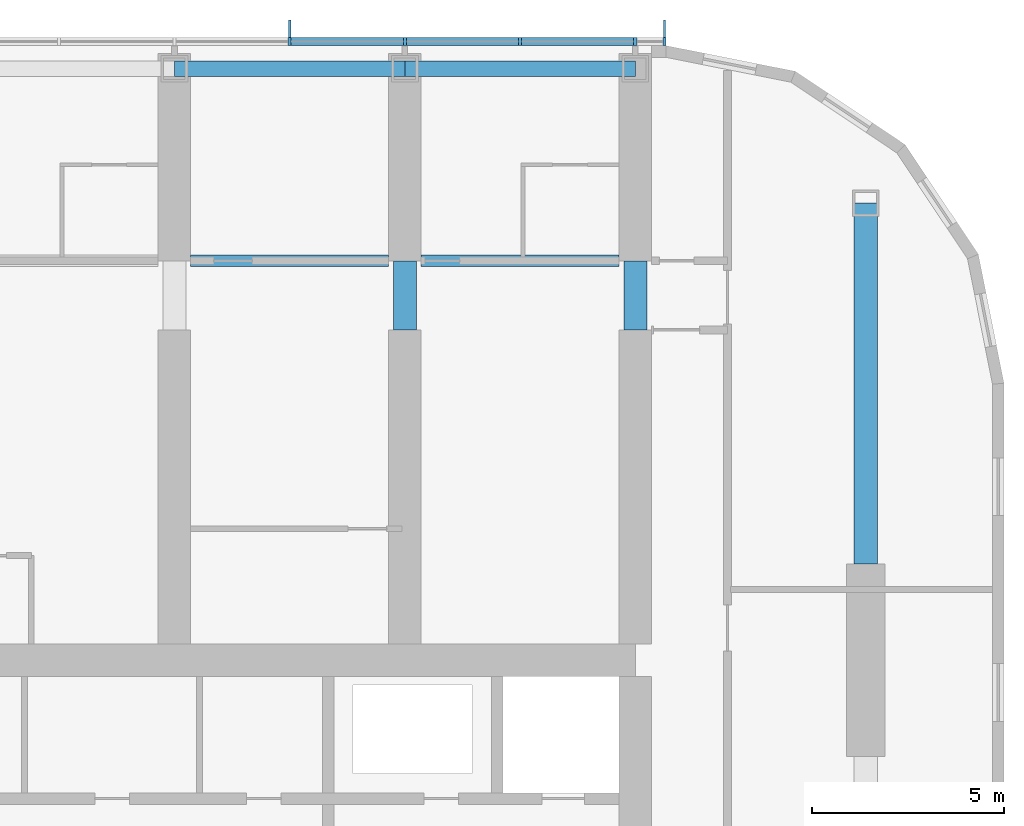
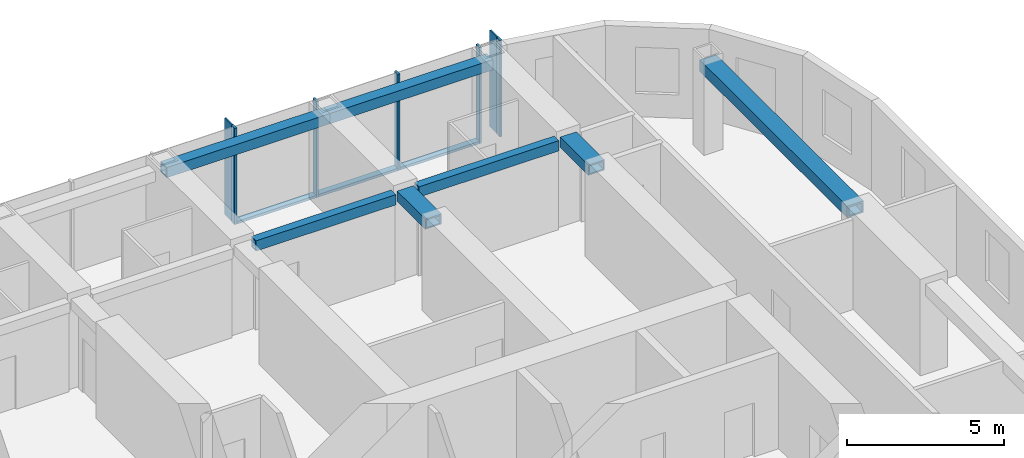
# One storey, part 5 of 22: 10 members, 7 beams, 1 element without a shape of its own.
"""IFC4 building model written with IfcOpenShell, lengths in metres."""

from ifc_helpers import new_model, si_unit, direction, frame, origin, origin_2d, place, context, subcontext, project, spatial, rectangle, hollow_rectangle, extrude, material, material_profile, profile_set, type_object, element, aggregate, save


model = new_model("IFC4")

# Units and contexts
model_context = context("Model", 3, precision=1e-05, world=origin(), true_north=direction((0.0, 1.0)))
body_context = subcontext(model_context, "Body", "Model", "MODEL_VIEW")
ifc_project = project(units=[si_unit("LENGTHUNIT", "METRE"), si_unit("AREAUNIT", "SQUARE_METRE"), si_unit("VOLUMEUNIT", "CUBIC_METRE"), si_unit("PLANEANGLEUNIT", "RADIAN"), si_unit("MASSUNIT", "GRAM", prefix="KILO")], contexts=[model_context])

# Site, building, storey
site_placement = place(None, origin())
site = spatial("IfcSite", under=ifc_project, at=site_placement, CompositionType="ELEMENT")
building_placement = place(site_placement, origin())
building = spatial("IfcBuilding", under=site, at=building_placement, Name="Orbita Commons", CompositionType="ELEMENT")
storey_placement = place(building_placement, frame((0.0, 0.0, 152.35009765625)))
storey = spatial("IfcBuildingStorey", under=building, at=storey_placement, Name="L37", CompositionType="ELEMENT", Elevation=152.35009765625)

# Curtain wall, members
ifc_material_1 = material(Name="Anodised aluminium frame, pale silver", Category="aluminium")
curtain_wall_type = type_object("IfcCurtainWallType", Name="Unitised curtain wall CW-U, full-height vision", PredefinedType="NOTDEFINED", material=ifc_material_1)
curtain_wall_placement = place(storey_placement, origin())
curtain_wall = element("IfcCurtainWall", 1, at=curtain_wall_placement, inside=storey, type_object=curtain_wall_type, Name="Curtain wall north L37", PredefinedType="NOTDEFINED")
ifc_material_2 = material(Name="Anodised aluminium, pale silver", Category="aluminium")
ifc_material_profile_1 = material_profile(ifc_material_2, rectangle(XDim=0.080078125, YDim=0.219970703125, at=origin_2d()), Name="AL 80x220")
ifc_profile_set_1 = profile_set([ifc_material_profile_1], Name="Anodised aluminium, pale silver")
member_type_1 = type_object("IfcMemberType", Name="Curtain wall mullion 80x220", PredefinedType="MULLION", material=ifc_profile_set_1)
member_1_placement = place(storey_placement, frame((66.760009765625, 54.31005859375, -0.25), z_axis=(0.0, 0.0, 1.0), x_axis=(-1.0, 0.0, 0.0)))
member_1 = element("IfcMember", 2, at=member_1_placement, type_object=member_type_1, Name="Mullion 1 CW-L37-N", PredefinedType="MULLION", context=body_context, shape_type="SweptSolid", body=[
    extrude(rectangle(XDim=0.080078125, YDim=0.219970703125, at=origin_2d()), origin(), (0.0, 0.0, 1.0), 3.75),
])
member_2_placement = place(storey_placement, frame((66.0, 54.31005859375, -0.25), z_axis=(0.0, 0.0, 1.0), x_axis=(-1.0, 0.0, 0.0)))
member_2 = element("IfcMember", 3, at=member_2_placement, type_object=member_type_1, Name="Mullion 2 CW-L37-N", PredefinedType="MULLION", context=body_context, shape_type="SweptSolid", body=[
    extrude(rectangle(XDim=0.080078125, YDim=0.219970703125, at=origin_2d()), origin(), (0.0, 0.0, 1.0), 3.75),
])
member_3_placement = place(storey_placement, frame((63.0, 54.31005859375, -0.25), z_axis=(0.0, 0.0, 1.0), x_axis=(-1.0, 0.0, 0.0)))
member_3 = element("IfcMember", 4, at=member_3_placement, type_object=member_type_1, Name="Mullion 3 CW-L37-N", PredefinedType="MULLION", context=body_context, shape_type="SweptSolid", body=[
    extrude(rectangle(XDim=0.080078125, YDim=0.219970703125, at=origin_2d()), origin(), (0.0, 0.0, 1.0), 3.75),
])
member_4_placement = place(storey_placement, frame((60.0, 54.31005859375, -0.25), z_axis=(0.0, 0.0, 1.0), x_axis=(-1.0, 0.0, 0.0)))
member_4 = element("IfcMember", 5, at=member_4_placement, type_object=member_type_1, Name="Mullion 4 CW-L37-N", PredefinedType="MULLION", context=body_context, shape_type="SweptSolid", body=[
    extrude(rectangle(XDim=0.080078125, YDim=0.219970703125, at=origin_2d()), origin(), (0.0, 0.0, 1.0), 3.75),
])
member_5_placement = place(storey_placement, frame((57.0, 54.31005859375, -0.25), z_axis=(0.0, 0.0, 1.0), x_axis=(-1.0, 0.0, 0.0)))
member_5 = element("IfcMember", 6, at=member_5_placement, type_object=member_type_1, Name="Mullion 5 CW-L37-N", PredefinedType="MULLION", context=body_context, shape_type="SweptSolid", body=[
    extrude(rectangle(XDim=0.080078125, YDim=0.219970703125, at=origin_2d()), origin(), (0.0, 0.0, 1.0), 3.75),
])
ifc_material_3 = material(Name="Anodised aluminium, pale silver", Category="aluminium")
ifc_material_profile_2 = material_profile(ifc_material_3, rectangle(XDim=0.219970703125, YDim=0.10009765625, at=origin_2d()), Name="AL 220x100")
ifc_profile_set_2 = profile_set([ifc_material_profile_2], Name="Anodised aluminium, pale silver")
member_type_2 = type_object("IfcMemberType", Name="Curtain wall stack transom 220x100", PredefinedType="USERDEFINED", material=ifc_profile_set_2)
member_6_placement = place(storey_placement, frame((65.9599609375, 54.31005859375, -0.2001953125), z_axis=(-1.0, 0.0, 0.0), x_axis=(0.0, -1.0, 0.0)))
member_6 = element("IfcMember", 7, at=member_6_placement, type_object=member_type_2, Name="Transom 2.1 CW-L37-N", ObjectType="TRANSOM", PredefinedType="USERDEFINED", context=body_context, shape_type="SweptSolid", body=[
    extrude(rectangle(XDim=0.219970703125, YDim=0.10009765625, at=origin_2d()), origin(), (0.0, 0.0, 1.0), 2.919921875),
])
member_7_placement = place(storey_placement, frame((62.9599609375, 54.31005859375, -0.2001953125), z_axis=(-1.0, 0.0, 0.0), x_axis=(0.0, -1.0, 0.0)))
member_7 = element("IfcMember", 8, at=member_7_placement, type_object=member_type_2, Name="Transom 3.1 CW-L37-N", ObjectType="TRANSOM", PredefinedType="USERDEFINED", context=body_context, shape_type="SweptSolid", body=[
    extrude(rectangle(XDim=0.219970703125, YDim=0.10009765625, at=origin_2d()), origin(), (0.0, 0.0, 1.0), 2.919921875),
])
member_8_placement = place(storey_placement, frame((59.9599609375, 54.31005859375, -0.2001953125), z_axis=(-1.0, 0.0, 0.0), x_axis=(0.0, -1.0, 0.0)))
member_8 = element("IfcMember", 9, at=member_8_placement, type_object=member_type_2, Name="Transom 4.1 CW-L37-N", ObjectType="TRANSOM", PredefinedType="USERDEFINED", context=body_context, shape_type="SweptSolid", body=[
    extrude(rectangle(XDim=0.219970703125, YDim=0.10009765625, at=origin_2d()), origin(), (0.0, 0.0, 1.0), 2.919921875),
])

# Beams
ifc_material_4 = material(Name="Steel ASTM A572 Gr 50 welded plate", Category="steel")
ifc_material_profile_3 = material_profile(ifc_material_4, hollow_rectangle(XDim=0.300048828125, YDim=0.39990234375, WallThickness=0.0400390625, at=origin_2d()), Name="BOX 400x300x40")
ifc_profile_set_3 = profile_set([ifc_material_profile_3], Name="Steel ASTM A572 Gr 50 welded plate")
beam_type_1 = type_object("IfcBeamType", Name="Steel corridor link BOX 400x300x40", PredefinedType="BEAM", material=ifc_profile_set_3)
for number, where, z_axis, x_axis, name in (
    (10, (54.425048828125, 48.60009765625, 3.2998046875), (1.0, 0.0, 0.0), (0.0, 1.0, 0.0), "Corridor beam NB 10-11 L37"),
    (11, (60.425048828125, 48.60009765625, 3.2998046875), (1.0, 0.0, 0.0), (0.0, 1.0, 0.0), "Corridor beam NB 11-12 L37"),
):
    element("IfcBeam", number, at=place(storey_placement, frame(where, z_axis=z_axis, x_axis=x_axis)), inside=storey, type_object=beam_type_1, Name=name, PredefinedType="BEAM", context=body_context, shape_type="SweptSolid", body=[
        extrude(hollow_rectangle(XDim=0.300048828125, YDim=0.39990234375, WallThickness=0.0400390625, at=origin_2d()), origin(), (0.0, 0.0, 1.0), 5.14990234375),
    ])
ifc_material_5 = material(Name="Steel ASTM A572 Gr 50 welded plate", Category="steel")
ifc_material_profile_4 = material_profile(ifc_material_5, hollow_rectangle(XDim=0.60009765625, YDim=0.39990234375, WallThickness=0.050048828125, at=origin_2d()), Name="BOX 400x600x50")
ifc_profile_set_4 = profile_set([ifc_material_profile_4], Name="Steel ASTM A572 Gr 50 welded plate")
beam_type_2 = type_object("IfcBeamType", Name="Steel coupling link BOX 400x600x50", PredefinedType="LINTEL", material=ifc_profile_set_4)
for number, where, z_axis, x_axis, name in (
    (12, (60.0, 46.800048828125, 3.2998046875), (0.0, 1.0, 0.0), (-1.0, 0.0, 0.0), "Coupling beam 11 north L37"),
    (13, (66.0, 46.800048828125, 3.2998046875), (0.0, 1.0, 0.0), (-1.0, 0.0, 0.0), "Coupling beam 12 north L37"),
):
    element("IfcBeam", number, at=place(storey_placement, frame(where, z_axis=z_axis, x_axis=x_axis)), inside=storey, type_object=beam_type_2, Name=name, PredefinedType="LINTEL", context=body_context, shape_type="SweptSolid", body=[
        extrude(hollow_rectangle(XDim=0.60009765625, YDim=0.39990234375, WallThickness=0.050048828125, at=origin_2d()), origin(), (0.0, 0.0, 1.0), 1.800048828125),
    ])
ifc_material_6 = material(Name="Steel ASTM A572 Gr 50 welded plate", Category="steel")
ifc_material_profile_5 = material_profile(ifc_material_6, hollow_rectangle(XDim=0.60009765625, YDim=0.449951171875, WallThickness=0.06005859375, at=origin_2d()), Name="BOX 450x600x60")
ifc_profile_set_5 = profile_set([ifc_material_profile_5], Name="Steel ASTM A572 Gr 50 welded plate")
beam_type_3 = type_object("IfcBeamType", Name="Steel end frame link BOX 450x600x60", PredefinedType="BEAM", material=ifc_profile_set_5)
beam_placement = place(storey_placement, frame((72.0, 40.699951171875, 3.27490234375), z_axis=(0.0, 1.0, 0.0), x_axis=(-1.0, 0.0, 0.0)))
element("IfcBeam", 14, at=beam_placement, inside=storey, type_object=beam_type_3, Name="End frame beam 13 D-E L37", PredefinedType="BEAM", context=body_context, shape_type="SweptSolid", body=[
    extrude(hollow_rectangle(XDim=0.60009765625, YDim=0.449951171875, WallThickness=0.06005859375, at=origin_2d()), origin(), (0.0, 0.0, 1.0), 9.400146484375),
])
ifc_material_7 = material(Name="Steel ASTM A572 Gr 50 welded plate", Category="steel")
ifc_material_profile_6 = material_profile(ifc_material_7, hollow_rectangle(XDim=0.39990234375, YDim=0.39990234375, WallThickness=0.0400390625, at=origin_2d()), Name="BOX 400x400x40")
ifc_profile_set_6 = profile_set([ifc_material_profile_6], Name="Steel ASTM A572 Gr 50 welded plate")
beam_type_4 = type_object("IfcBeamType", Name="Steel spandrel BOX 400x400x40", PredefinedType="SPANDREL", material=ifc_profile_set_6)
for number, where, z_axis, x_axis, name in (
    (15, (54.0, 53.60009765625, 3.2998046875), (1.0, 0.0, 0.0), (0.0, 1.0, 0.0), "Spandrel beam E 10-11 L37"),
    (16, (60.0, 53.60009765625, 3.2998046875), (1.0, 0.0, 0.0), (0.0, 1.0, 0.0), "Spandrel beam E 11-12 L37"),
):
    element("IfcBeam", number, at=place(storey_placement, frame(where, z_axis=z_axis, x_axis=x_axis)), inside=storey, type_object=beam_type_4, Name=name, PredefinedType="SPANDREL", context=body_context, shape_type="SweptSolid", body=[
        extrude(hollow_rectangle(XDim=0.39990234375, YDim=0.39990234375, WallThickness=0.0400390625, at=origin_2d()), origin(), (0.0, 0.0, 1.0), 6.0),
    ])

# Member
ifc_material_8 = material(Name="Anodised aluminium, pale silver", Category="aluminium")
ifc_material_profile_7 = material_profile(ifc_material_8, rectangle(XDim=0.06005859375, YDim=0.449951171875, at=origin_2d()), Name="FIN 60x450")
ifc_profile_set_7 = profile_set([ifc_material_profile_7], Name="Anodised aluminium, pale silver")
member_type_3 = type_object("IfcMemberType", Name="Vertical fin 60x450 pale aluminium", PredefinedType="USERDEFINED", material=ifc_profile_set_7)
member_9_placement = place(storey_placement, frame((66.760009765625, 54.64501953125, -0.25), z_axis=(0.0, 0.0, 1.0), x_axis=(-1.0, 0.0, 0.0)))
member_9 = element("IfcMember", 17, at=member_9_placement, type_object=member_type_3, Name="Fin 1 CW-L37-N", ObjectType="FIN", PredefinedType="USERDEFINED", context=body_context, shape_type="SweptSolid", body=[
    extrude(rectangle(XDim=0.06005859375, YDim=0.449951171875, at=origin_2d()), origin(), (0.0, 0.0, 1.0), 3.75),
])

member_10_placement = place(storey_placement, frame((57.0, 54.64501953125, -0.25), z_axis=(0.0, 0.0, 1.0), x_axis=(-1.0, 0.0, 0.0)))
member_10 = element("IfcMember", 18, at=member_10_placement, type_object=member_type_3, Name="Fin 5 CW-L37-N", ObjectType="FIN", PredefinedType="USERDEFINED", context=body_context, shape_type="SweptSolid", body=[
    extrude(rectangle(XDim=0.06005859375, YDim=0.449951171875, at=origin_2d()), origin(), (0.0, 0.0, 1.0), 3.75),
])

aggregate(curtain_wall, [member_1, member_9, member_2, member_3, member_4, member_5, member_10, member_6, member_7, member_8])

save(model, "model.ifc")
